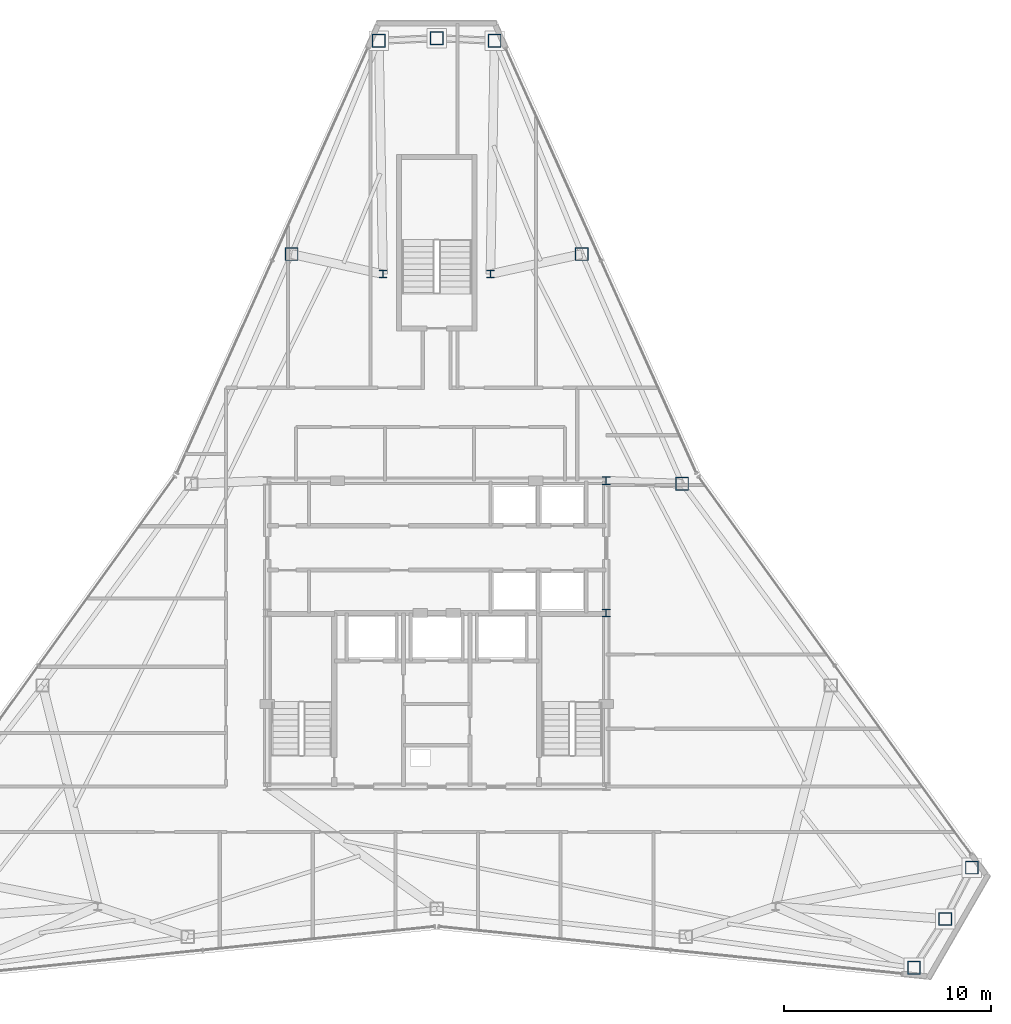
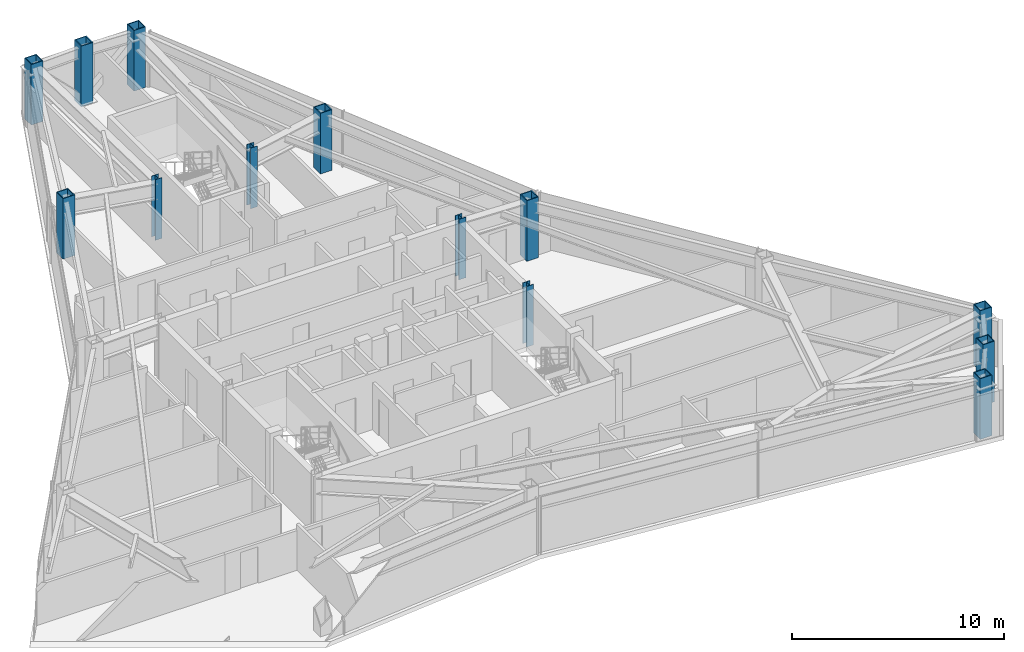
# One storey, part 2 of 12: 13 columns.
"""IFC4 building model written with IfcOpenShell, lengths in metres."""

from ifc_helpers import new_model, si_unit, direction, frame, origin, origin_2d, place, context, subcontext, project, spatial, hollow_rectangle, i_section, extrude, material, material_profile, profile_set, type_object, element, save


model = new_model("IFC4")

# Units and contexts
model_context = context("Model", 3, precision=1e-05, world=origin(), true_north=direction((0.0, 1.0)))
body_context = subcontext(model_context, "Body", "Model", "MODEL_VIEW")
ifc_project = project(units=[si_unit("LENGTHUNIT", "METRE"), si_unit("AREAUNIT", "SQUARE_METRE"), si_unit("VOLUMEUNIT", "CUBIC_METRE"), si_unit("PLANEANGLEUNIT", "RADIAN"), si_unit("MASSUNIT", "GRAM", prefix="KILO")], contexts=[model_context])

# Site, building, storey
site_placement = place(None, origin())
site = spatial("IfcSite", under=ifc_project, at=site_placement, CompositionType="ELEMENT")
building_placement = place(site_placement, origin())
building = spatial("IfcBuilding", under=site, at=building_placement, Name="Varakhsha Concourse Tower", CompositionType="ELEMENT")
storey_placement = place(building_placement, frame((0.0, 0.0, 258.5)))
storey = spatial("IfcBuildingStorey", under=building, at=storey_placement, Name="L73", CompositionType="ELEMENT", Elevation=258.5)

# Columns
ifc_material_1 = material(Name="Structural Steel ASTM A992 Grade 50", Category="steel")
ifc_material_profile_1 = material_profile(ifc_material_1, i_section(OverallWidth=0.3740234375, OverallDepth=0.3720703125, WebThickness=0.01611328125, FlangeThickness=0.02587890625, at=origin_2d()), Name="W14X132")
ifc_profile_set_1 = profile_set([ifc_material_profile_1], Name="Structural Steel ASTM A992 Grade 50")
column_type_1 = type_object("IfcColumnType", Name="CL-CORE-W14X132", PredefinedType="COLUMN", material=ifc_profile_set_1)
for number, where, z_axis, x_axis, name in (
    (1, (48.199951171875, 24.800048828125, 0.0), (0.0, 0.0, 1.0), (1.0, 0.0, 0.0), "L73 Core Column CC-ME"),
    (2, (48.199951171875, 31.199951171875, 0.0), (0.0, 0.0, 1.0), (1.0, 0.0, 0.0), "L73 Core Column CC-NE"),
    (3, (37.39990234375, 41.199951171875, 0.0), (0.0, 0.0, 1.0), (1.0, 0.0, 0.0), "L73 Core Column NS-W"),
    (4, (42.60009765625, 41.199951171875, 0.0), (0.0, 0.0, 1.0), (1.0, 0.0, 0.0), "L73 Core Column NS-E"),
):
    element("IfcColumn", number, at=place(storey_placement, frame(where, z_axis=z_axis, x_axis=x_axis)), inside=storey, type_object=column_type_1, Name=name, PredefinedType="COLUMN", context=body_context, shape_type="SweptSolid", body=[
        extrude(i_section(OverallWidth=0.3740234375, OverallDepth=0.3720703125, WebThickness=0.01611328125, FlangeThickness=0.02587890625, at=origin_2d()), origin(), (0.0, 0.0, 1.0), 3.5),
    ])
ifc_material_2 = material(Name="Structural Steel ASTM A572 Grade 50", Category="steel")
ifc_material_profile_2 = material_profile(ifc_material_2, hollow_rectangle(XDim=0.639892578125, YDim=0.639892578125, WallThickness=0.044921875, at=origin_2d()), Name="BOX 640x640x45")
ifc_profile_set_2 = profile_set([ifc_material_profile_2], Name="Structural Steel ASTM A572 Grade 50")
column_type_2 = type_object("IfcColumnType", Name="CL-TUBE-640", PredefinedType="COLUMN", material=ifc_profile_set_2)
for number, where, z_axis, x_axis, name in (
    (5, (42.80029296875, 52.489990234375, 0.0), (0.0, 0.0, 1.0), (1.0, 0.0, 0.0), "L73 Framed-Tube Column TC01"),
    (6, (40.0, 52.6171875, 0.0), (0.0, 0.0, 1.0), (1.0, 0.0, 0.0), "L73 Framed-Tube Column TC02"),
    (7, (37.19970703125, 52.489990234375, 0.0), (0.0, 0.0, 1.0), (1.0, 0.0, 0.0), "L73 Framed-Tube Column TC03"),
    (8, (32.977294921875, 42.168701171875, 0.0), (0.0, 0.0, 1.0), (1.0, 0.0, 0.0), "L73 Framed-Tube Column TC04"),
    (9, (63.099609375, 7.6298828125, 0.0), (0.0, 0.0, 1.0), (1.0, 0.0, 0.0), "L73 Framed-Tube Column TC13"),
    (10, (64.60986328125, 9.991455078125, 0.0), (0.0, 0.0, 1.0), (1.0, 0.0, 0.0), "L73 Framed-Tube Column TC14"),
    (11, (65.89990234375, 12.47998046875, 0.0), (0.0, 0.0, 1.0), (1.0, 0.0, 0.0), "L73 Framed-Tube Column TC15"),
    (12, (51.874267578125, 31.0556640625, 0.0), (0.0, 0.0, 1.0), (1.0, 0.0, 0.0), "L73 Framed-Tube Column TC17"),
    (13, (47.022705078125, 42.168701171875, 0.0), (0.0, 0.0, 1.0), (1.0, 0.0, 0.0), "L73 Framed-Tube Column TC18"),
):
    element("IfcColumn", number, at=place(storey_placement, frame(where, z_axis=z_axis, x_axis=x_axis)), inside=storey, type_object=column_type_2, Name=name, PredefinedType="COLUMN", context=body_context, shape_type="SweptSolid", body=[
        extrude(hollow_rectangle(XDim=0.639892578125, YDim=0.639892578125, WallThickness=0.044921875, at=origin_2d()), origin(), (0.0, 0.0, 1.0), 3.5),
    ])

save(model, "model.ifc")
